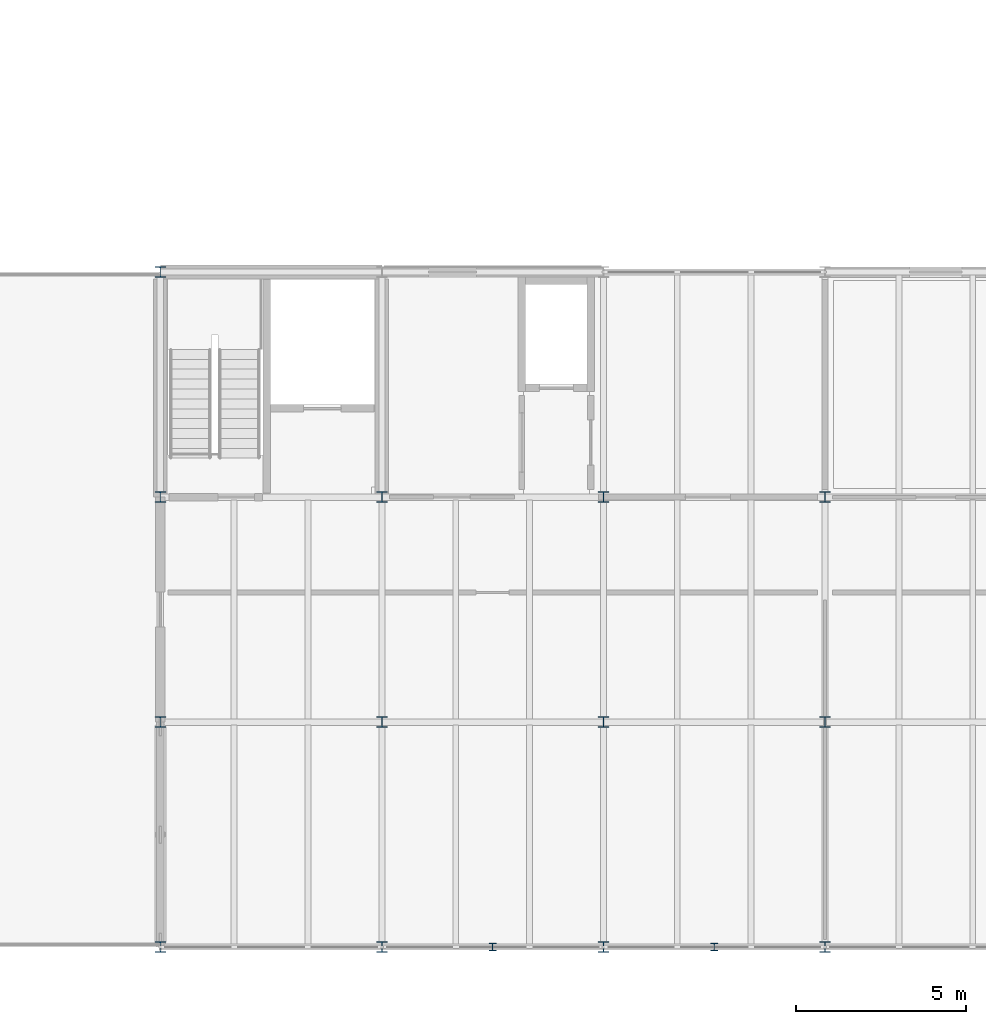
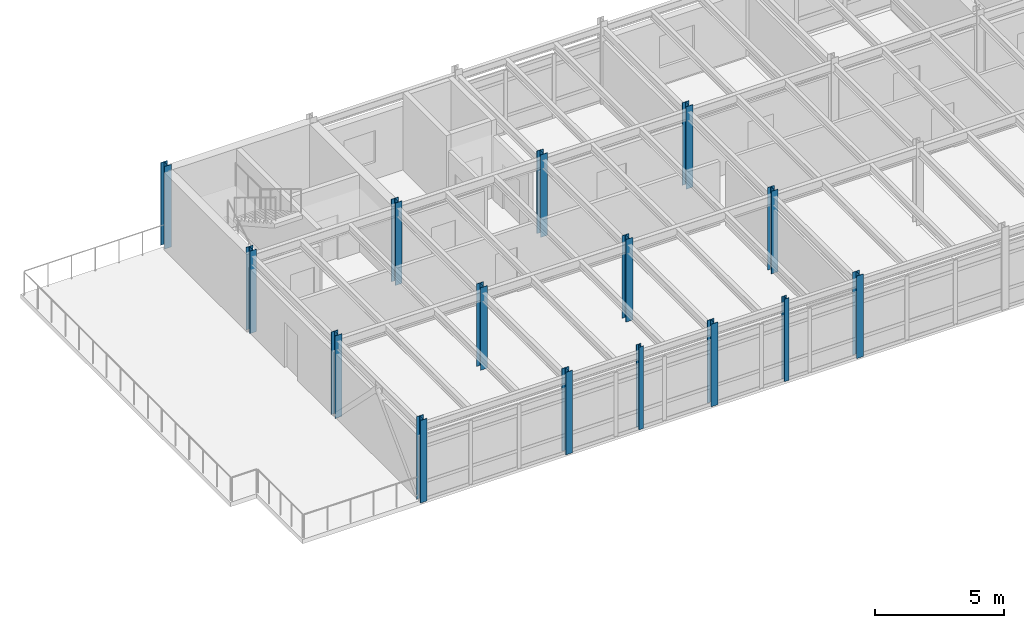
# One storey, part 3 of 57: 15 columns.
"""IFC4 building model written with IfcOpenShell, lengths in metres."""

from ifc_helpers import new_model, si_unit, direction, frame, origin, origin_2d, place, context, subcontext, project, spatial, i_section, extrude, material, material_profile, profile_set, type_object, element, save


model = new_model("IFC4")

# Units and contexts
model_context = context("Model", 3, precision=1e-05, world=origin(), true_north=direction((0.0, 1.0)))
body_context = subcontext(model_context, "Body", "Model", "MODEL_VIEW")
ifc_project = project(units=[si_unit("LENGTHUNIT", "METRE"), si_unit("AREAUNIT", "SQUARE_METRE"), si_unit("VOLUMEUNIT", "CUBIC_METRE"), si_unit("PLANEANGLEUNIT", "RADIAN"), si_unit("MASSUNIT", "GRAM", prefix="KILO")], contexts=[model_context])

# Site, building, storey
site_placement = place(None, origin())
site = spatial("IfcSite", under=ifc_project, at=site_placement, CompositionType="ELEMENT")
building_placement = place(site_placement, origin())
building = spatial("IfcBuilding", under=site, at=building_placement, Name="Trelmorton Wharf Fire Station", CompositionType="ELEMENT")
storey_placement = place(building_placement, frame((0.0, 0.0, 13.5)))
storey = spatial("IfcBuildingStorey", under=building, at=storey_placement, Name="L03", CompositionType="ELEMENT", Elevation=13.5)

# Columns
ifc_material = material(Name="Steel Grade 350", Category="steel")
ifc_material_profile_1 = material_profile(ifc_material, i_section(OverallWidth=0.306884765625, OverallDepth=0.31494140625, WebThickness=0.011962890625, FlangeThickness=0.018798828125, FilletRadius=0.0166015625, at=origin_2d()), Name="310UC118")
ifc_profile_set_1 = profile_set([ifc_material_profile_1], Name="Steel Grade 350")
column_type_1 = type_object("IfcColumnType", Name="COL_310UC118", PredefinedType="COLUMN", material=ifc_profile_set_1)
for number, where, z_axis, x_axis, name in (
    (1, (110.5, 7.800048828125, 0.0), (0.0, 0.0, 1.0), (1.0, 0.0, 0.0), "COL-L03-0624"),
    (2, (110.5, 14.39990234375, 0.0), (0.0, 0.0, 1.0), (1.0, 0.0, 0.0), "COL-L03-0625"),
    (3, (110.5, 21.0, 0.0), (0.0, 0.0, 1.0), (1.0, 0.0, 0.0), "COL-L03-0626"),
    (4, (110.5, 27.60009765625, 0.0), (0.0, 0.0, 1.0), (1.0, 0.0, 0.0), "COL-L03-0627"),
    (5, (117.0, 7.800048828125, 0.0), (0.0, 0.0, 1.0), (1.0, 0.0, 0.0), "COL-L03-0632"),
    (6, (117.0, 14.39990234375, 0.0), (0.0, 0.0, 1.0), (1.0, 0.0, 0.0), "COL-L03-0633"),
    (7, (117.0, 21.0, 0.0), (0.0, 0.0, 1.0), (1.0, 0.0, 0.0), "COL-L03-0634"),
    (8, (123.5, 7.800048828125, 0.0), (0.0, 0.0, 1.0), (1.0, 0.0, 0.0), "COL-L03-0640"),
    (9, (123.5, 14.39990234375, 0.0), (0.0, 0.0, 1.0), (1.0, 0.0, 0.0), "COL-L03-0641"),
    (10, (123.5, 21.0, 0.0), (0.0, 0.0, 1.0), (1.0, 0.0, 0.0), "COL-L03-0642"),
    (11, (130.0, 7.800048828125, 0.0), (0.0, 0.0, 1.0), (1.0, 0.0, 0.0), "COL-L03-0648"),
    (12, (130.0, 14.39990234375, 0.0), (0.0, 0.0, 1.0), (1.0, 0.0, 0.0), "COL-L03-0649"),
    (13, (130.0, 21.0, 0.0), (0.0, 0.0, 1.0), (1.0, 0.0, 0.0), "COL-L03-0650"),
):
    element("IfcColumn", number, at=place(storey_placement, frame(where, z_axis=z_axis, x_axis=x_axis)), inside=storey, type_object=column_type_1, Name=name, PredefinedType="COLUMN", context=body_context, shape_type="SweptSolid", body=[
        extrude(i_section(OverallWidth=0.306884765625, OverallDepth=0.31494140625, WebThickness=0.011962890625, FlangeThickness=0.018798828125, FilletRadius=0.0166015625, at=origin_2d()), origin(), (0.0, 0.0, 1.0), 3.89990234375),
    ])
ifc_material_profile_2 = material_profile(ifc_material, i_section(OverallWidth=0.205078125, OverallDepth=0.2099609375, WebThickness=0.00927734375, FlangeThickness=0.01416015625, FilletRadius=0.011474609375, at=origin_2d()), Name="200UC59.5")
ifc_profile_set_2 = profile_set([ifc_material_profile_2], Name="Steel Grade 350")
column_type_2 = type_object("IfcColumnType", Name="PIL_200UC60", PredefinedType="PILASTER", material=ifc_profile_set_2)
for number, where, z_axis, x_axis, name in (
    (14, (120.25, 7.800048828125, 0.0), (0.0, 0.0, 1.0), (1.0, 0.0, 0.0), "PIL-S-L03-007"),
    (15, (126.75, 7.800048828125, 0.0), (0.0, 0.0, 1.0), (1.0, 0.0, 0.0), "PIL-S-L03-015"),
):
    element("IfcColumn", number, at=place(storey_placement, frame(where, z_axis=z_axis, x_axis=x_axis)), inside=storey, type_object=column_type_2, Name=name, PredefinedType="PILASTER", context=body_context, shape_type="SweptSolid", body=[
        extrude(i_section(OverallWidth=0.205078125, OverallDepth=0.2099609375, WebThickness=0.00927734375, FlangeThickness=0.01416015625, FilletRadius=0.011474609375, at=origin_2d()), origin(), (0.0, 0.0, 1.0), 3.89990234375),
    ])

save(model, "model.ifc")
